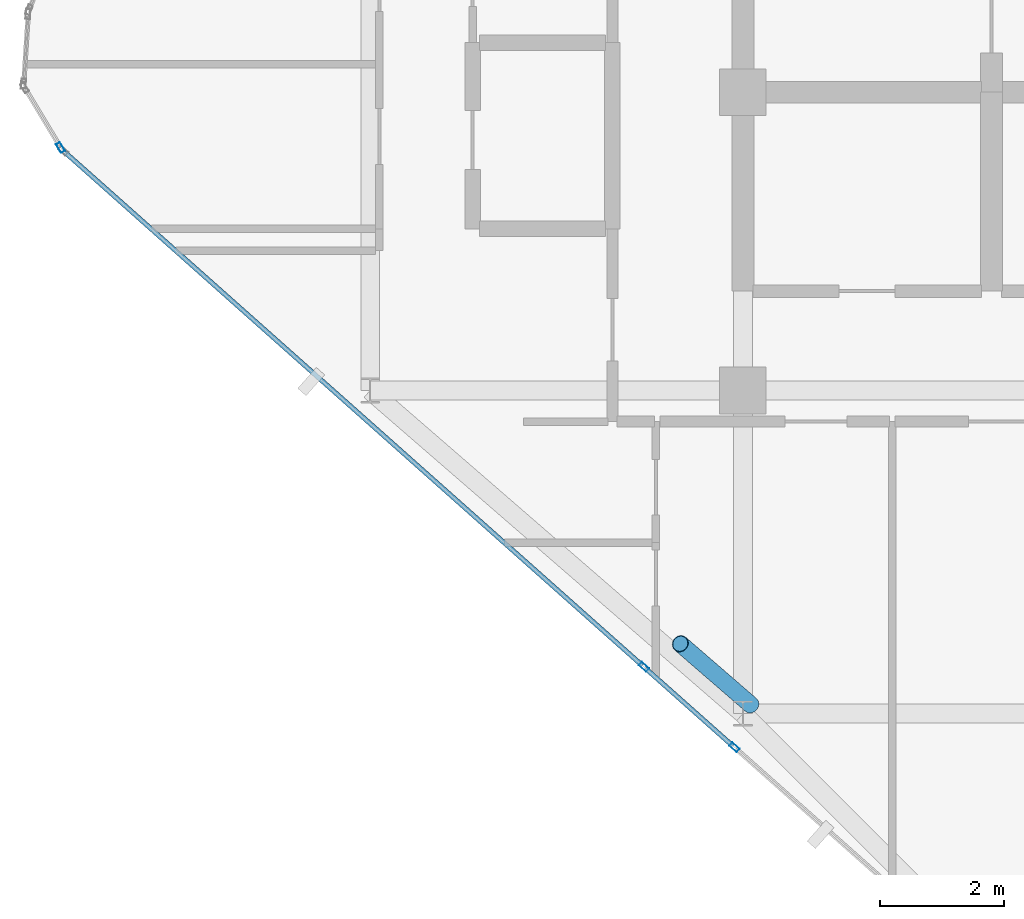
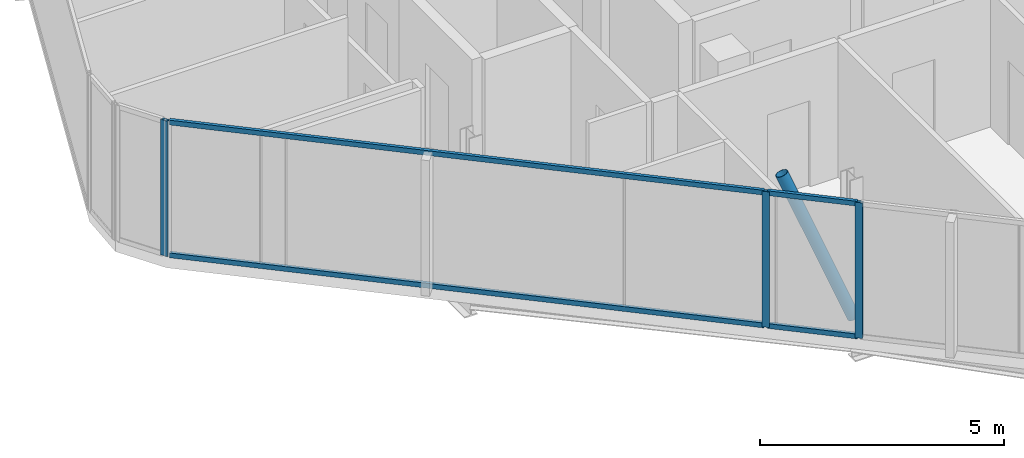
# One storey, part 3 of 28: 8 members, 4 elements without a shape of their own.
"""IFC4 building model written with IfcOpenShell, lengths in metres."""

from ifc_helpers import new_model, si_unit, direction, frame, origin, origin_2d, place, context, subcontext, project, spatial, hollow_rectangle, hollow_circle, extrude, material, layer, layer_set, material_profile, profile_set, type_object, element, aggregate, save


model = new_model("IFC4")

# Units and contexts
model_context = context("Model", 3, precision=1e-05, world=origin(), true_north=direction((0.0, 1.0)))
body_context = subcontext(model_context, "Body", "Model", "MODEL_VIEW")
ifc_project = project(units=[si_unit("LENGTHUNIT", "METRE"), si_unit("AREAUNIT", "SQUARE_METRE"), si_unit("VOLUMEUNIT", "CUBIC_METRE"), si_unit("PLANEANGLEUNIT", "RADIAN"), si_unit("MASSUNIT", "GRAM", prefix="KILO")], contexts=[model_context])

# Site, building, storey
site_placement = place(None, origin())
site = spatial("IfcSite", under=ifc_project, at=site_placement, CompositionType="ELEMENT")
building_placement = place(site_placement, origin())
building = spatial("IfcBuilding", under=site, at=building_placement, Name="Keshet Zoharim Tower", CompositionType="ELEMENT")
storey_placement = place(building_placement, frame((0.0, 0.0, 258.39990234375)))
storey = spatial("IfcBuildingStorey", under=building, at=storey_placement, Name="L64", CompositionType="ELEMENT", Elevation=258.39990234375)

# Curtain wall, member
ifc_material_1 = material(Name="Aluminium 6063-T6", Category="aluminium")
ifc_layer = layer(ifc_material_1, 0.260009765625)
ifc_layer_set = layer_set([ifc_layer], Name="Aluminium 6063-T6")
curtain_wall_type = type_object("IfcCurtainWallType", Name="CW-SYS-06", PredefinedType="NOTDEFINED", material=ifc_layer_set)
curtain_wall_1_placement = place(storey_placement, origin())
curtain_wall_1 = element("IfcCurtainWall", 1, at=curtain_wall_1_placement, inside=storey, type_object=curtain_wall_type, Name="L64 Unitised Curtain Wall 01", PredefinedType="NOTDEFINED")
ifc_material_profile_1 = material_profile(ifc_material_1, hollow_rectangle(XDim=0.074951171875, YDim=0.159912109375, WallThickness=0.00390625, at=origin_2d()), Name="MUL-75x160")
ifc_profile_set_1 = profile_set([ifc_material_profile_1], Name="Aluminium 6063-T6")
member_type_1 = type_object("IfcMemberType", Name="CWM-M15", PredefinedType="MULLION", material=ifc_profile_set_1)
member_1_placement = place(storey_placement, frame((4.016845703125, 21.81005859375, 0.0), z_axis=(0.0, 0.0, 1.0), x_axis=(-0.856826433805, -0.515604947933, 0.0)))
member_1 = element("IfcMember", 2, at=member_1_placement, type_object=member_type_1, Name="CW-06 mullion 1", PredefinedType="MULLION", context=body_context, shape_type="SweptSolid", body=[
    extrude(hollow_rectangle(XDim=0.074951171875, YDim=0.159912109375, WallThickness=0.00390625, at=origin_2d()), origin(), (0.0, 0.0, 1.0), 3.39013671875),
])
aggregate(curtain_wall_1, [member_1])

curtain_wall_2_placement = place(storey_placement, origin())
curtain_wall_2 = element("IfcCurtainWall", 3, at=curtain_wall_2_placement, inside=storey, type_object=curtain_wall_type, Name="L64 Unitised Curtain Wall 16", PredefinedType="NOTDEFINED")
member_2_placement = place(storey_placement, frame((14.863037109375, 12.155029296875, 0.0), z_axis=(0.0, 0.0, 1.0), x_axis=(-0.664362180559, -0.747410792699, 0.0)))
member_2 = element("IfcMember", 4, at=member_2_placement, type_object=member_type_1, Name="CW-06 mullion 2", PredefinedType="MULLION", context=body_context, shape_type="SweptSolid", body=[
    extrude(hollow_rectangle(XDim=0.074951171875, YDim=0.159912109375, WallThickness=0.00390625, at=origin_2d()), origin(), (0.0, 0.0, 1.0), 3.39013671875),
])
aggregate(curtain_wall_2, [member_2])

# Curtain wall, members
curtain_wall_3_placement = place(storey_placement, origin())
curtain_wall_3 = element("IfcCurtainWall", 5, at=curtain_wall_3_placement, inside=storey, type_object=curtain_wall_type, Name="L64 Unitised Curtain Wall 16 Part 2", PredefinedType="NOTDEFINED")
member_3_placement = place(storey_placement, frame((13.40576171875, 13.450439453125, 0.0), z_axis=(0.0, 0.0, 1.0), x_axis=(-0.664338369143, -0.747431957629, 0.0)))
member_3 = element("IfcMember", 6, at=member_3_placement, type_object=member_type_1, Name="CW-06 mullion 2", PredefinedType="MULLION", context=body_context, shape_type="SweptSolid", body=[
    extrude(hollow_rectangle(XDim=0.074951171875, YDim=0.159912109375, WallThickness=0.00390625, at=origin_2d()), origin(), (0.0, 0.0, 1.0), 3.39013671875),
])
ifc_material_profile_2 = material_profile(ifc_material_1, hollow_rectangle(XDim=0.074951171875, YDim=0.1201171875, WallThickness=0.00390625, at=origin_2d()), Name="TRN-75x120")
ifc_profile_set_2 = profile_set([ifc_material_profile_2], Name="Aluminium 6063-T6")
member_type_2 = type_object("IfcMemberType", Name="CWT-T12", PredefinedType="USERDEFINED", material=ifc_profile_set_2)
member_4_placement = place(storey_placement, frame((14.8369140625, 12.178466796875, 0.03515625), z_axis=(-0.747452318941, 0.664315460387, 0.0), x_axis=(-0.664315460387, -0.747452318941, 0.0)))
member_4 = element("IfcMember", 7, at=member_4_placement, type_object=member_type_2, Name="CW-06 transom 1.1", ObjectType="TRANSOM", PredefinedType="USERDEFINED", context=body_context, shape_type="SweptSolid", body=[
    extrude(hollow_rectangle(XDim=0.074951171875, YDim=0.1201171875, WallThickness=0.00390625, at=origin_2d()), origin(), (0.0, 0.0, 1.0), 1.87939453125),
])
member_5_placement = place(storey_placement, frame((14.8369140625, 12.178466796875, 3.35498046875), z_axis=(-0.747452318941, 0.664315460387, 0.0), x_axis=(-0.664315460387, -0.747452318941, 0.0)))
member_5 = element("IfcMember", 8, at=member_5_placement, type_object=member_type_2, Name="CW-06 transom 1.2", ObjectType="TRANSOM", PredefinedType="USERDEFINED", context=body_context, shape_type="SweptSolid", body=[
    extrude(hollow_rectangle(XDim=0.074951171875, YDim=0.1201171875, WallThickness=0.00390625, at=origin_2d()), origin(), (0.0, 0.0, 1.0), 1.87939453125),
])
aggregate(curtain_wall_3, [member_3, member_4, member_5])

curtain_wall_4_placement = place(storey_placement, origin())
curtain_wall_4 = element("IfcCurtainWall", 9, at=curtain_wall_4_placement, inside=storey, type_object=curtain_wall_type, Name="L64 Unitised Curtain Wall 16 Part 3", PredefinedType="NOTDEFINED")
member_6_placement = place(storey_placement, frame((13.379638671875, 13.4736328125, 0.03515625), z_axis=(-0.747409318684, 0.66436383883, 0.0), x_axis=(-0.66436383883, -0.747409318684, 0.0)))
member_6 = element("IfcMember", 10, at=member_6_placement, type_object=member_type_2, Name="CW-06 transom 1.1", ObjectType="TRANSOM", PredefinedType="USERDEFINED", context=body_context, shape_type="SweptSolid", body=[
    extrude(hollow_rectangle(XDim=0.074951171875, YDim=0.1201171875, WallThickness=0.00390625, at=origin_2d()), origin(), (0.0, 0.0, 1.0), 12.4326171875),
])
member_7_placement = place(storey_placement, frame((13.379638671875, 13.4736328125, 3.35498046875), z_axis=(-0.747409318684, 0.66436383883, 0.0), x_axis=(-0.66436383883, -0.747409318684, 0.0)))
member_7 = element("IfcMember", 11, at=member_7_placement, type_object=member_type_2, Name="CW-06 transom 1.2", ObjectType="TRANSOM", PredefinedType="USERDEFINED", context=body_context, shape_type="SweptSolid", body=[
    extrude(hollow_rectangle(XDim=0.074951171875, YDim=0.1201171875, WallThickness=0.00390625, at=origin_2d()), origin(), (0.0, 0.0, 1.0), 12.4326171875),
])
aggregate(curtain_wall_4, [member_6, member_7])

# Member
ifc_material_2 = material(Name="Steel S355", Category="steel")
ifc_material_profile_3 = material_profile(ifc_material_2, hollow_circle(Radius=0.136474609375, WallThickness=0.010009765625, at=origin_2d()), Name="CHS273x10")
ifc_profile_set_3 = profile_set([ifc_material_profile_3], Name="Steel S355")
member_type_3 = type_object("IfcMemberType", Name="MB-BR-C273", PredefinedType="BRACE", material=ifc_profile_set_3)
member_8_placement = place(storey_placement, frame((15.1259765625, 12.842041015625, 0.0), z_axis=(-0.305901085163, 0.264872801835, 0.914476311855), x_axis=(-0.654589683411, -0.755984355904, 0.0)))
element("IfcMember", 12, at=member_8_placement, inside=storey, type_object=member_type_3, Name="L64 Perimeter Tube Brace 01", PredefinedType="BRACE", context=body_context, shape_type="SweptSolid", body=[
    extrude(hollow_circle(Radius=0.136474609375, WallThickness=0.010009765625, at=origin_2d()), origin(), (0.0, 0.0, 1.0), 3.707275390625),
])

save(model, "model.ifc")
